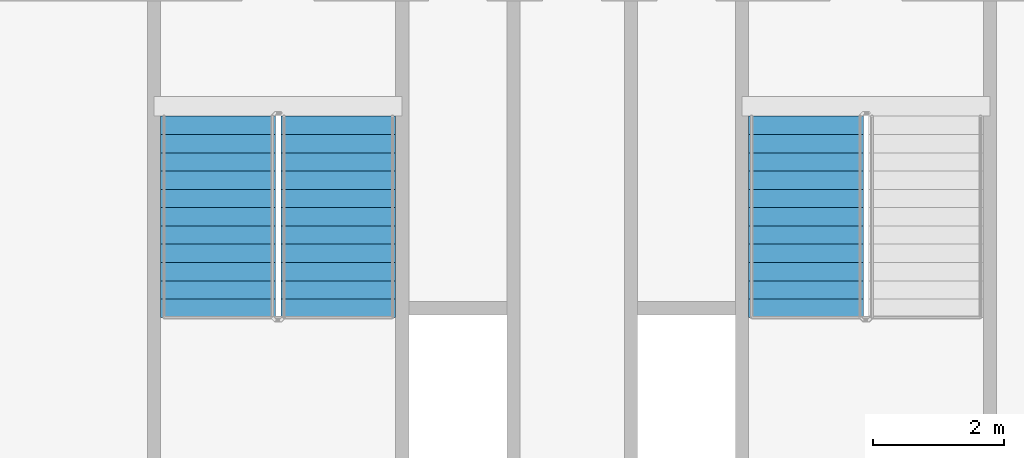
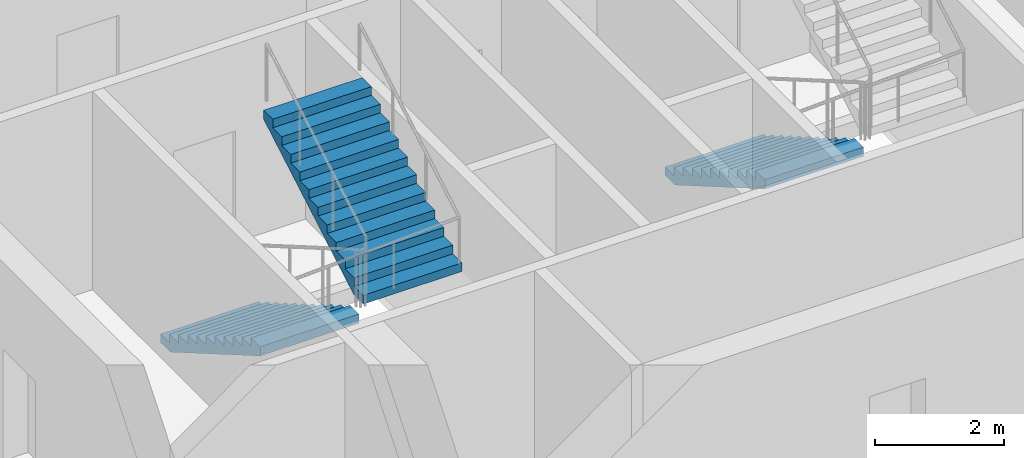
# One storey, part 7 of 14: 3 stair flights, 2 elements without a shape of their own.
"""IFC4 building model written with IfcOpenShell, lengths in metres."""

from ifc_helpers import new_model, si_unit, direction, frame, origin, place, context, subcontext, project, spatial, faceted_brep, material, type_object, element, aggregate, save


model = new_model("IFC4")

# Units and contexts
model_context = context("Model", 3, precision=1e-05, world=origin(), true_north=direction((0.0, 1.0)))
body_context = subcontext(model_context, "Body", "Model", "MODEL_VIEW")
ifc_project = project(units=[si_unit("LENGTHUNIT", "METRE"), si_unit("AREAUNIT", "SQUARE_METRE"), si_unit("VOLUMEUNIT", "CUBIC_METRE"), si_unit("PLANEANGLEUNIT", "RADIAN"), si_unit("MASSUNIT", "GRAM", prefix="KILO")], contexts=[model_context])

# Site, building, storey
site_placement = place(None, origin())
site = spatial("IfcSite", under=ifc_project, at=site_placement, CompositionType="ELEMENT")
building_placement = place(site_placement, origin())
building = spatial("IfcBuilding", under=site, at=building_placement, Name="Tarsis Ring Headquarters", CompositionType="ELEMENT")
storey_placement = place(building_placement, frame((0.0, 0.0, 335.300048828125)))
storey = spatial("IfcBuildingStorey", under=building, at=storey_placement, Name="L79", CompositionType="ELEMENT", Elevation=335.300048828125)

# Stair, stair flights
ifc_material_1 = material(Name="Core stair 1760")
stair_type = type_object("IfcStairType", Name="Core stair 1760", PredefinedType="HALF_TURN_STAIR", material=ifc_material_1)
stair_1_placement = place(storey_placement, origin())
stair_1 = element("IfcStair", 1, at=stair_1_placement, inside=storey, type_object=stair_type, Name="L79 Exit stair C", PredefinedType="HALF_TURN_STAIR")
ifc_material_2 = material(Name="Concrete C40/50", Category="concrete")
stair_flight_type = type_object("IfcStairFlightType", Name="Core stair flight 1760", PredefinedType="STRAIGHT", material=ifc_material_2)
stair_flight_1_placement = place(storey_placement, frame((-5.419921875, -3.659912109375, 0.0), z_axis=(0.0, 0.0, 1.0), x_axis=(0.0, -1.0, 0.0)))
stair_flight_1 = element("IfcStairFlight", 2, at=stair_flight_1_placement, type_object=stair_flight_type, Name="Stair ST3 flight 1", NumberOfRisers=12, NumberOfTreads=11, PredefinedType="STRAIGHT", RiserHeight=0.1625, TreadLength=0.28, context=body_context, shape_type="Brep", body=[
    faceted_brep([(0.0, 0.8798828125, 0.0), (0.0, 0.8798828125, 0.16259765625), (0.280029296875, 0.8798828125, 0.16259765625), (0.280029296875, 0.8798828125, 0.324951171875), (0.56005859375, 0.8798828125, 0.324951171875), (0.56005859375, 0.8798828125, 0.487548828125), (0.840087890625, 0.8798828125, 0.487548828125), (0.840087890625, 0.8798828125, 0.64990234375), (1.1201171875, 0.8798828125, 0.64990234375), (1.1201171875, 0.8798828125, 0.8125), (1.39990234375, 0.8798828125, 0.8125), (1.39990234375, 0.8798828125, 0.97509765625), (1.679931640625, 0.8798828125, 0.97509765625), (1.679931640625, 0.8798828125, 1.137451171875), (1.9599609375, 0.8798828125, 1.137451171875), (1.9599609375, 0.8798828125, 1.300048828125), (2.239990234375, 0.8798828125, 1.300048828125), (2.239990234375, 0.8798828125, 1.46240234375), (2.52001953125, 0.8798828125, 1.46240234375), (2.52001953125, 0.8798828125, 1.625), (2.800048828125, 0.8798828125, 1.625), (2.800048828125, 0.8798828125, 1.78759765625), (3.080078125, 0.8798828125, 1.78759765625), (3.080078125, 0.8798828125, 1.6142578125), (0.298583984375, 0.8798828125, 0.0), (0.298583984375, -0.8798828125, 0.0), (3.080078125, -0.8798828125, 1.6142578125), (3.080078125, -0.8798828125, 1.78759765625), (2.800048828125, -0.8798828125, 1.78759765625), (2.800048828125, -0.8798828125, 1.625), (2.52001953125, -0.8798828125, 1.625), (2.52001953125, -0.8798828125, 1.46240234375), (2.239990234375, -0.8798828125, 1.46240234375), (2.239990234375, -0.8798828125, 1.300048828125), (1.9599609375, -0.8798828125, 1.300048828125), (1.9599609375, -0.8798828125, 1.137451171875), (1.679931640625, -0.8798828125, 1.137451171875), (1.679931640625, -0.8798828125, 0.97509765625), (1.39990234375, -0.8798828125, 0.97509765625), (1.39990234375, -0.8798828125, 0.8125), (1.1201171875, -0.8798828125, 0.8125), (1.1201171875, -0.8798828125, 0.64990234375), (0.840087890625, -0.8798828125, 0.64990234375), (0.840087890625, -0.8798828125, 0.487548828125), (0.56005859375, -0.8798828125, 0.487548828125), (0.56005859375, -0.8798828125, 0.324951171875), (0.280029296875, -0.8798828125, 0.324951171875), (0.280029296875, -0.8798828125, 0.16259765625), (0.0, -0.8798828125, 0.16259765625), (0.0, -0.8798828125, 0.0), (0.0, -0.43994140625, 0.16259765625), (0.0, -0.43994140625, 0.0), (0.0, 0.0, 0.16259765625), (0.0, 0.0, 0.0), (0.0, 0.43994140625, 0.16259765625), (0.0, 0.43994140625, 0.0), (0.280029296875, -0.43994140625, 0.16259765625), (0.280029296875, 0.0, 0.16259765625), (0.280029296875, 0.43994140625, 0.16259765625), (0.280029296875, -0.43994140625, 0.324951171875), (0.280029296875, 0.0, 0.324951171875), (0.280029296875, 0.43994140625, 0.324951171875), (0.56005859375, -0.43994140625, 0.324951171875), (0.56005859375, 0.0, 0.324951171875), (0.56005859375, 0.43994140625, 0.324951171875), (0.56005859375, -0.43994140625, 0.487548828125), (0.56005859375, 0.0, 0.487548828125), (0.56005859375, 0.43994140625, 0.487548828125), (0.840087890625, -0.43994140625, 0.487548828125), (0.840087890625, 0.0, 0.487548828125), (0.840087890625, 0.43994140625, 0.487548828125), (0.840087890625, -0.43994140625, 0.64990234375), (0.840087890625, 0.0, 0.64990234375), (0.840087890625, 0.43994140625, 0.64990234375), (1.1201171875, -0.43994140625, 0.64990234375), (1.1201171875, 0.0, 0.64990234375), (1.1201171875, 0.43994140625, 0.64990234375), (1.1201171875, -0.43994140625, 0.8125), (1.1201171875, 0.0, 0.8125), (1.1201171875, 0.43994140625, 0.8125), (1.39990234375, -0.43994140625, 0.8125), (1.39990234375, 0.0, 0.8125), (1.39990234375, 0.43994140625, 0.8125), (1.39990234375, -0.43994140625, 0.97509765625), (1.39990234375, 0.0, 0.97509765625), (1.39990234375, 0.43994140625, 0.97509765625), (1.679931640625, -0.43994140625, 0.97509765625), (1.679931640625, 0.0, 0.97509765625), (1.679931640625, 0.43994140625, 0.97509765625), (1.679931640625, -0.43994140625, 1.137451171875), (1.679931640625, 0.0, 1.137451171875), (1.679931640625, 0.43994140625, 1.137451171875), (1.9599609375, -0.43994140625, 1.137451171875), (1.9599609375, 0.0, 1.137451171875), (1.9599609375, 0.43994140625, 1.137451171875), (1.9599609375, -0.43994140625, 1.300048828125), (1.9599609375, 0.0, 1.300048828125), (1.9599609375, 0.43994140625, 1.300048828125), (2.239990234375, -0.43994140625, 1.300048828125), (2.239990234375, 0.0, 1.300048828125), (2.239990234375, 0.43994140625, 1.300048828125), (2.239990234375, -0.43994140625, 1.46240234375), (2.239990234375, 0.0, 1.46240234375), (2.239990234375, 0.43994140625, 1.46240234375), (2.52001953125, -0.43994140625, 1.46240234375), (2.52001953125, 0.0, 1.46240234375), (2.52001953125, 0.43994140625, 1.46240234375), (2.52001953125, -0.43994140625, 1.625), (2.52001953125, 0.0, 1.625), (2.52001953125, 0.43994140625, 1.625), (2.800048828125, -0.43994140625, 1.625), (2.800048828125, 0.0, 1.625), (2.800048828125, 0.43994140625, 1.625), (2.800048828125, -0.43994140625, 1.78759765625), (2.800048828125, 0.0, 1.78759765625), (2.800048828125, 0.43994140625, 1.78759765625), (3.080078125, -0.43994140625, 1.78759765625), (3.080078125, 0.0, 1.78759765625), (3.080078125, 0.43994140625, 1.78759765625), (3.080078125, -0.43994140625, 1.6142578125), (3.080078125, 0.0, 1.6142578125), (3.080078125, 0.43994140625, 1.6142578125), (0.298583984375, -0.43994140625, 0.0), (0.298583984375, 0.0, 0.0), (0.298583984375, 0.43994140625, 0.0)], [[[0, 1, 2, 3, 4, 5, 6, 7, 8, 9, 10, 11, 12, 13, 14, 15, 16, 17, 18, 19, 20, 21, 22, 23, 24]], [[25, 26, 27, 28, 29, 30, 31, 32, 33, 34, 35, 36, 37, 38, 39, 40, 41, 42, 43, 44, 45, 46, 47, 48, 49]], [[49, 48, 50, 51]], [[51, 50, 52, 53]], [[53, 52, 54, 55]], [[55, 54, 1, 0]], [[48, 47, 56, 50]], [[50, 56, 57, 52]], [[52, 57, 58, 54]], [[54, 58, 2, 1]], [[47, 46, 59, 56]], [[56, 59, 60, 57]], [[57, 60, 61, 58]], [[58, 61, 3, 2]], [[46, 45, 62, 59]], [[59, 62, 63, 60]], [[60, 63, 64, 61]], [[61, 64, 4, 3]], [[45, 44, 65, 62]], [[62, 65, 66, 63]], [[63, 66, 67, 64]], [[64, 67, 5, 4]], [[44, 43, 68, 65]], [[65, 68, 69, 66]], [[66, 69, 70, 67]], [[67, 70, 6, 5]], [[43, 42, 71, 68]], [[68, 71, 72, 69]], [[69, 72, 73, 70]], [[70, 73, 7, 6]], [[42, 41, 74, 71]], [[71, 74, 75, 72]], [[72, 75, 76, 73]], [[73, 76, 8, 7]], [[41, 40, 77, 74]], [[74, 77, 78, 75]], [[75, 78, 79, 76]], [[76, 79, 9, 8]], [[40, 39, 80, 77]], [[77, 80, 81, 78]], [[78, 81, 82, 79]], [[79, 82, 10, 9]], [[39, 38, 83, 80]], [[80, 83, 84, 81]], [[81, 84, 85, 82]], [[82, 85, 11, 10]], [[38, 37, 86, 83]], [[83, 86, 87, 84]], [[84, 87, 88, 85]], [[85, 88, 12, 11]], [[37, 36, 89, 86]], [[86, 89, 90, 87]], [[87, 90, 91, 88]], [[88, 91, 13, 12]], [[36, 35, 92, 89]], [[89, 92, 93, 90]], [[90, 93, 94, 91]], [[91, 94, 14, 13]], [[35, 34, 95, 92]], [[92, 95, 96, 93]], [[93, 96, 97, 94]], [[94, 97, 15, 14]], [[34, 33, 98, 95]], [[95, 98, 99, 96]], [[96, 99, 100, 97]], [[97, 100, 16, 15]], [[33, 32, 101, 98]], [[98, 101, 102, 99]], [[99, 102, 103, 100]], [[100, 103, 17, 16]], [[32, 31, 104, 101]], [[101, 104, 105, 102]], [[102, 105, 106, 103]], [[103, 106, 18, 17]], [[31, 30, 107, 104]], [[104, 107, 108, 105]], [[105, 108, 109, 106]], [[106, 109, 19, 18]], [[30, 29, 110, 107]], [[107, 110, 111, 108]], [[108, 111, 112, 109]], [[109, 112, 20, 19]], [[29, 28, 113, 110]], [[110, 113, 114, 111]], [[111, 114, 115, 112]], [[112, 115, 21, 20]], [[28, 27, 116, 113]], [[113, 116, 117, 114]], [[114, 117, 118, 115]], [[115, 118, 22, 21]], [[27, 26, 119, 116]], [[116, 119, 120, 117]], [[117, 120, 121, 118]], [[118, 121, 23, 22]], [[26, 25, 122, 119]], [[119, 122, 123, 120]], [[120, 123, 124, 121]], [[121, 124, 24, 23]], [[25, 49, 51, 122]], [[122, 51, 53, 123]], [[123, 53, 55, 124]], [[124, 55, 0, 24]]]),
])
stair_flight_2_placement = place(storey_placement, frame((-3.580078125, -6.739990234375, 1.949951171875), z_axis=(0.0, 0.0, 1.0), x_axis=(0.0, 1.0, 0.0)))
stair_flight_2 = element("IfcStairFlight", 3, at=stair_flight_2_placement, type_object=stair_flight_type, Name="Stair ST3 flight 2", NumberOfRisers=12, NumberOfTreads=11, PredefinedType="STRAIGHT", RiserHeight=0.1625, TreadLength=0.28, context=body_context, shape_type="Brep", body=[
    faceted_brep([(0.0, 0.8798828125, 0.0), (0.0, 0.8798828125, 0.16259765625), (0.280029296875, 0.8798828125, 0.16259765625), (0.280029296875, 0.8798828125, 0.324951171875), (0.56005859375, 0.8798828125, 0.324951171875), (0.56005859375, 0.8798828125, 0.487548828125), (0.840087890625, 0.8798828125, 0.487548828125), (0.840087890625, 0.8798828125, 0.64990234375), (1.1201171875, 0.8798828125, 0.64990234375), (1.1201171875, 0.8798828125, 0.8125), (1.39990234375, 0.8798828125, 0.8125), (1.39990234375, 0.8798828125, 0.97509765625), (1.679931640625, 0.8798828125, 0.97509765625), (1.679931640625, 0.8798828125, 1.137451171875), (1.9599609375, 0.8798828125, 1.137451171875), (1.9599609375, 0.8798828125, 1.300048828125), (2.239990234375, 0.8798828125, 1.300048828125), (2.239990234375, 0.8798828125, 1.46240234375), (2.52001953125, 0.8798828125, 1.46240234375), (2.52001953125, 0.8798828125, 1.625), (2.800048828125, 0.8798828125, 1.625), (2.800048828125, 0.8798828125, 1.78759765625), (3.080078125, 0.8798828125, 1.78759765625), (3.080078125, 0.8798828125, 1.6142578125), (0.298583984375, 0.8798828125, 0.0), (0.298583984375, -0.8798828125, 0.0), (3.080078125, -0.8798828125, 1.6142578125), (3.080078125, -0.8798828125, 1.78759765625), (2.800048828125, -0.8798828125, 1.78759765625), (2.800048828125, -0.8798828125, 1.625), (2.52001953125, -0.8798828125, 1.625), (2.52001953125, -0.8798828125, 1.46240234375), (2.239990234375, -0.8798828125, 1.46240234375), (2.239990234375, -0.8798828125, 1.300048828125), (1.9599609375, -0.8798828125, 1.300048828125), (1.9599609375, -0.8798828125, 1.137451171875), (1.679931640625, -0.8798828125, 1.137451171875), (1.679931640625, -0.8798828125, 0.97509765625), (1.39990234375, -0.8798828125, 0.97509765625), (1.39990234375, -0.8798828125, 0.8125), (1.1201171875, -0.8798828125, 0.8125), (1.1201171875, -0.8798828125, 0.64990234375), (0.840087890625, -0.8798828125, 0.64990234375), (0.840087890625, -0.8798828125, 0.487548828125), (0.56005859375, -0.8798828125, 0.487548828125), (0.56005859375, -0.8798828125, 0.324951171875), (0.280029296875, -0.8798828125, 0.324951171875), (0.280029296875, -0.8798828125, 0.16259765625), (0.0, -0.8798828125, 0.16259765625), (0.0, -0.8798828125, 0.0), (0.0, -0.43994140625, 0.16259765625), (0.0, -0.43994140625, 0.0), (0.0, 0.0, 0.16259765625), (0.0, 0.0, 0.0), (0.0, 0.43994140625, 0.16259765625), (0.0, 0.43994140625, 0.0), (0.280029296875, -0.43994140625, 0.16259765625), (0.280029296875, 0.0, 0.16259765625), (0.280029296875, 0.43994140625, 0.16259765625), (0.280029296875, -0.43994140625, 0.324951171875), (0.280029296875, 0.0, 0.324951171875), (0.280029296875, 0.43994140625, 0.324951171875), (0.56005859375, -0.43994140625, 0.324951171875), (0.56005859375, 0.0, 0.324951171875), (0.56005859375, 0.43994140625, 0.324951171875), (0.56005859375, -0.43994140625, 0.487548828125), (0.56005859375, 0.0, 0.487548828125), (0.56005859375, 0.43994140625, 0.487548828125), (0.840087890625, -0.43994140625, 0.487548828125), (0.840087890625, 0.0, 0.487548828125), (0.840087890625, 0.43994140625, 0.487548828125), (0.840087890625, -0.43994140625, 0.64990234375), (0.840087890625, 0.0, 0.64990234375), (0.840087890625, 0.43994140625, 0.64990234375), (1.1201171875, -0.43994140625, 0.64990234375), (1.1201171875, 0.0, 0.64990234375), (1.1201171875, 0.43994140625, 0.64990234375), (1.1201171875, -0.43994140625, 0.8125), (1.1201171875, 0.0, 0.8125), (1.1201171875, 0.43994140625, 0.8125), (1.39990234375, -0.43994140625, 0.8125), (1.39990234375, 0.0, 0.8125), (1.39990234375, 0.43994140625, 0.8125), (1.39990234375, -0.43994140625, 0.97509765625), (1.39990234375, 0.0, 0.97509765625), (1.39990234375, 0.43994140625, 0.97509765625), (1.679931640625, -0.43994140625, 0.97509765625), (1.679931640625, 0.0, 0.97509765625), (1.679931640625, 0.43994140625, 0.97509765625), (1.679931640625, -0.43994140625, 1.137451171875), (1.679931640625, 0.0, 1.137451171875), (1.679931640625, 0.43994140625, 1.137451171875), (1.9599609375, -0.43994140625, 1.137451171875), (1.9599609375, 0.0, 1.137451171875), (1.9599609375, 0.43994140625, 1.137451171875), (1.9599609375, -0.43994140625, 1.300048828125), (1.9599609375, 0.0, 1.300048828125), (1.9599609375, 0.43994140625, 1.300048828125), (2.239990234375, -0.43994140625, 1.300048828125), (2.239990234375, 0.0, 1.300048828125), (2.239990234375, 0.43994140625, 1.300048828125), (2.239990234375, -0.43994140625, 1.46240234375), (2.239990234375, 0.0, 1.46240234375), (2.239990234375, 0.43994140625, 1.46240234375), (2.52001953125, -0.43994140625, 1.46240234375), (2.52001953125, 0.0, 1.46240234375), (2.52001953125, 0.43994140625, 1.46240234375), (2.52001953125, -0.43994140625, 1.625), (2.52001953125, 0.0, 1.625), (2.52001953125, 0.43994140625, 1.625), (2.800048828125, -0.43994140625, 1.625), (2.800048828125, 0.0, 1.625), (2.800048828125, 0.43994140625, 1.625), (2.800048828125, -0.43994140625, 1.78759765625), (2.800048828125, 0.0, 1.78759765625), (2.800048828125, 0.43994140625, 1.78759765625), (3.080078125, -0.43994140625, 1.78759765625), (3.080078125, 0.0, 1.78759765625), (3.080078125, 0.43994140625, 1.78759765625), (3.080078125, -0.43994140625, 1.6142578125), (3.080078125, 0.0, 1.6142578125), (3.080078125, 0.43994140625, 1.6142578125), (0.298583984375, -0.43994140625, 0.0), (0.298583984375, 0.0, 0.0), (0.298583984375, 0.43994140625, 0.0)], [[[0, 1, 2, 3, 4, 5, 6, 7, 8, 9, 10, 11, 12, 13, 14, 15, 16, 17, 18, 19, 20, 21, 22, 23, 24]], [[25, 26, 27, 28, 29, 30, 31, 32, 33, 34, 35, 36, 37, 38, 39, 40, 41, 42, 43, 44, 45, 46, 47, 48, 49]], [[49, 48, 50, 51]], [[51, 50, 52, 53]], [[53, 52, 54, 55]], [[55, 54, 1, 0]], [[48, 47, 56, 50]], [[50, 56, 57, 52]], [[52, 57, 58, 54]], [[54, 58, 2, 1]], [[47, 46, 59, 56]], [[56, 59, 60, 57]], [[57, 60, 61, 58]], [[58, 61, 3, 2]], [[46, 45, 62, 59]], [[59, 62, 63, 60]], [[60, 63, 64, 61]], [[61, 64, 4, 3]], [[45, 44, 65, 62]], [[62, 65, 66, 63]], [[63, 66, 67, 64]], [[64, 67, 5, 4]], [[44, 43, 68, 65]], [[65, 68, 69, 66]], [[66, 69, 70, 67]], [[67, 70, 6, 5]], [[43, 42, 71, 68]], [[68, 71, 72, 69]], [[69, 72, 73, 70]], [[70, 73, 7, 6]], [[42, 41, 74, 71]], [[71, 74, 75, 72]], [[72, 75, 76, 73]], [[73, 76, 8, 7]], [[41, 40, 77, 74]], [[74, 77, 78, 75]], [[75, 78, 79, 76]], [[76, 79, 9, 8]], [[40, 39, 80, 77]], [[77, 80, 81, 78]], [[78, 81, 82, 79]], [[79, 82, 10, 9]], [[39, 38, 83, 80]], [[80, 83, 84, 81]], [[81, 84, 85, 82]], [[82, 85, 11, 10]], [[38, 37, 86, 83]], [[83, 86, 87, 84]], [[84, 87, 88, 85]], [[85, 88, 12, 11]], [[37, 36, 89, 86]], [[86, 89, 90, 87]], [[87, 90, 91, 88]], [[88, 91, 13, 12]], [[36, 35, 92, 89]], [[89, 92, 93, 90]], [[90, 93, 94, 91]], [[91, 94, 14, 13]], [[35, 34, 95, 92]], [[92, 95, 96, 93]], [[93, 96, 97, 94]], [[94, 97, 15, 14]], [[34, 33, 98, 95]], [[95, 98, 99, 96]], [[96, 99, 100, 97]], [[97, 100, 16, 15]], [[33, 32, 101, 98]], [[98, 101, 102, 99]], [[99, 102, 103, 100]], [[100, 103, 17, 16]], [[32, 31, 104, 101]], [[101, 104, 105, 102]], [[102, 105, 106, 103]], [[103, 106, 18, 17]], [[31, 30, 107, 104]], [[104, 107, 108, 105]], [[105, 108, 109, 106]], [[106, 109, 19, 18]], [[30, 29, 110, 107]], [[107, 110, 111, 108]], [[108, 111, 112, 109]], [[109, 112, 20, 19]], [[29, 28, 113, 110]], [[110, 113, 114, 111]], [[111, 114, 115, 112]], [[112, 115, 21, 20]], [[28, 27, 116, 113]], [[113, 116, 117, 114]], [[114, 117, 118, 115]], [[115, 118, 22, 21]], [[27, 26, 119, 116]], [[116, 119, 120, 117]], [[117, 120, 121, 118]], [[118, 121, 23, 22]], [[26, 25, 122, 119]], [[119, 122, 123, 120]], [[120, 123, 124, 121]], [[121, 124, 24, 23]], [[25, 49, 51, 122]], [[122, 51, 53, 123]], [[123, 53, 55, 124]], [[124, 55, 0, 24]]]),
])
aggregate(stair_1, [stair_flight_1, stair_flight_2])

# Stair, stair flight
stair_2_placement = place(storey_placement, origin())
stair_2 = element("IfcStair", 4, at=stair_2_placement, inside=storey, type_object=stair_type, Name="L79 Exit stair D", PredefinedType="HALF_TURN_STAIR")
stair_flight_3_placement = place(storey_placement, frame((3.580078125, -3.659912109375, 0.0), z_axis=(0.0, 0.0, 1.0), x_axis=(0.0, -1.0, 0.0)))
stair_flight_3 = element("IfcStairFlight", 5, at=stair_flight_3_placement, type_object=stair_flight_type, Name="Stair ST4 flight 1", NumberOfRisers=12, NumberOfTreads=11, PredefinedType="STRAIGHT", RiserHeight=0.1625, TreadLength=0.28, context=body_context, shape_type="Brep", body=[
    faceted_brep([(0.0, 0.8798828125, 0.0), (0.0, 0.8798828125, 0.16259765625), (0.280029296875, 0.8798828125, 0.16259765625), (0.280029296875, 0.8798828125, 0.324951171875), (0.56005859375, 0.8798828125, 0.324951171875), (0.56005859375, 0.8798828125, 0.487548828125), (0.840087890625, 0.8798828125, 0.487548828125), (0.840087890625, 0.8798828125, 0.64990234375), (1.1201171875, 0.8798828125, 0.64990234375), (1.1201171875, 0.8798828125, 0.8125), (1.39990234375, 0.8798828125, 0.8125), (1.39990234375, 0.8798828125, 0.97509765625), (1.679931640625, 0.8798828125, 0.97509765625), (1.679931640625, 0.8798828125, 1.137451171875), (1.9599609375, 0.8798828125, 1.137451171875), (1.9599609375, 0.8798828125, 1.300048828125), (2.239990234375, 0.8798828125, 1.300048828125), (2.239990234375, 0.8798828125, 1.46240234375), (2.52001953125, 0.8798828125, 1.46240234375), (2.52001953125, 0.8798828125, 1.625), (2.800048828125, 0.8798828125, 1.625), (2.800048828125, 0.8798828125, 1.78759765625), (3.080078125, 0.8798828125, 1.78759765625), (3.080078125, 0.8798828125, 1.6142578125), (0.298583984375, 0.8798828125, 0.0), (0.298583984375, -0.8798828125, 0.0), (3.080078125, -0.8798828125, 1.6142578125), (3.080078125, -0.8798828125, 1.78759765625), (2.800048828125, -0.8798828125, 1.78759765625), (2.800048828125, -0.8798828125, 1.625), (2.52001953125, -0.8798828125, 1.625), (2.52001953125, -0.8798828125, 1.46240234375), (2.239990234375, -0.8798828125, 1.46240234375), (2.239990234375, -0.8798828125, 1.300048828125), (1.9599609375, -0.8798828125, 1.300048828125), (1.9599609375, -0.8798828125, 1.137451171875), (1.679931640625, -0.8798828125, 1.137451171875), (1.679931640625, -0.8798828125, 0.97509765625), (1.39990234375, -0.8798828125, 0.97509765625), (1.39990234375, -0.8798828125, 0.8125), (1.1201171875, -0.8798828125, 0.8125), (1.1201171875, -0.8798828125, 0.64990234375), (0.840087890625, -0.8798828125, 0.64990234375), (0.840087890625, -0.8798828125, 0.487548828125), (0.56005859375, -0.8798828125, 0.487548828125), (0.56005859375, -0.8798828125, 0.324951171875), (0.280029296875, -0.8798828125, 0.324951171875), (0.280029296875, -0.8798828125, 0.16259765625), (0.0, -0.8798828125, 0.16259765625), (0.0, -0.8798828125, 0.0), (0.0, -0.43994140625, 0.16259765625), (0.0, -0.43994140625, 0.0), (0.0, 0.0, 0.16259765625), (0.0, 0.0, 0.0), (0.0, 0.43994140625, 0.16259765625), (0.0, 0.43994140625, 0.0), (0.280029296875, -0.43994140625, 0.16259765625), (0.280029296875, 0.0, 0.16259765625), (0.280029296875, 0.43994140625, 0.16259765625), (0.280029296875, -0.43994140625, 0.324951171875), (0.280029296875, 0.0, 0.324951171875), (0.280029296875, 0.43994140625, 0.324951171875), (0.56005859375, -0.43994140625, 0.324951171875), (0.56005859375, 0.0, 0.324951171875), (0.56005859375, 0.43994140625, 0.324951171875), (0.56005859375, -0.43994140625, 0.487548828125), (0.56005859375, 0.0, 0.487548828125), (0.56005859375, 0.43994140625, 0.487548828125), (0.840087890625, -0.43994140625, 0.487548828125), (0.840087890625, 0.0, 0.487548828125), (0.840087890625, 0.43994140625, 0.487548828125), (0.840087890625, -0.43994140625, 0.64990234375), (0.840087890625, 0.0, 0.64990234375), (0.840087890625, 0.43994140625, 0.64990234375), (1.1201171875, -0.43994140625, 0.64990234375), (1.1201171875, 0.0, 0.64990234375), (1.1201171875, 0.43994140625, 0.64990234375), (1.1201171875, -0.43994140625, 0.8125), (1.1201171875, 0.0, 0.8125), (1.1201171875, 0.43994140625, 0.8125), (1.39990234375, -0.43994140625, 0.8125), (1.39990234375, 0.0, 0.8125), (1.39990234375, 0.43994140625, 0.8125), (1.39990234375, -0.43994140625, 0.97509765625), (1.39990234375, 0.0, 0.97509765625), (1.39990234375, 0.43994140625, 0.97509765625), (1.679931640625, -0.43994140625, 0.97509765625), (1.679931640625, 0.0, 0.97509765625), (1.679931640625, 0.43994140625, 0.97509765625), (1.679931640625, -0.43994140625, 1.137451171875), (1.679931640625, 0.0, 1.137451171875), (1.679931640625, 0.43994140625, 1.137451171875), (1.9599609375, -0.43994140625, 1.137451171875), (1.9599609375, 0.0, 1.137451171875), (1.9599609375, 0.43994140625, 1.137451171875), (1.9599609375, -0.43994140625, 1.300048828125), (1.9599609375, 0.0, 1.300048828125), (1.9599609375, 0.43994140625, 1.300048828125), (2.239990234375, -0.43994140625, 1.300048828125), (2.239990234375, 0.0, 1.300048828125), (2.239990234375, 0.43994140625, 1.300048828125), (2.239990234375, -0.43994140625, 1.46240234375), (2.239990234375, 0.0, 1.46240234375), (2.239990234375, 0.43994140625, 1.46240234375), (2.52001953125, -0.43994140625, 1.46240234375), (2.52001953125, 0.0, 1.46240234375), (2.52001953125, 0.43994140625, 1.46240234375), (2.52001953125, -0.43994140625, 1.625), (2.52001953125, 0.0, 1.625), (2.52001953125, 0.43994140625, 1.625), (2.800048828125, -0.43994140625, 1.625), (2.800048828125, 0.0, 1.625), (2.800048828125, 0.43994140625, 1.625), (2.800048828125, -0.43994140625, 1.78759765625), (2.800048828125, 0.0, 1.78759765625), (2.800048828125, 0.43994140625, 1.78759765625), (3.080078125, -0.43994140625, 1.78759765625), (3.080078125, 0.0, 1.78759765625), (3.080078125, 0.43994140625, 1.78759765625), (3.080078125, -0.43994140625, 1.6142578125), (3.080078125, 0.0, 1.6142578125), (3.080078125, 0.43994140625, 1.6142578125), (0.298583984375, -0.43994140625, 0.0), (0.298583984375, 0.0, 0.0), (0.298583984375, 0.43994140625, 0.0)], [[[0, 1, 2, 3, 4, 5, 6, 7, 8, 9, 10, 11, 12, 13, 14, 15, 16, 17, 18, 19, 20, 21, 22, 23, 24]], [[25, 26, 27, 28, 29, 30, 31, 32, 33, 34, 35, 36, 37, 38, 39, 40, 41, 42, 43, 44, 45, 46, 47, 48, 49]], [[49, 48, 50, 51]], [[51, 50, 52, 53]], [[53, 52, 54, 55]], [[55, 54, 1, 0]], [[48, 47, 56, 50]], [[50, 56, 57, 52]], [[52, 57, 58, 54]], [[54, 58, 2, 1]], [[47, 46, 59, 56]], [[56, 59, 60, 57]], [[57, 60, 61, 58]], [[58, 61, 3, 2]], [[46, 45, 62, 59]], [[59, 62, 63, 60]], [[60, 63, 64, 61]], [[61, 64, 4, 3]], [[45, 44, 65, 62]], [[62, 65, 66, 63]], [[63, 66, 67, 64]], [[64, 67, 5, 4]], [[44, 43, 68, 65]], [[65, 68, 69, 66]], [[66, 69, 70, 67]], [[67, 70, 6, 5]], [[43, 42, 71, 68]], [[68, 71, 72, 69]], [[69, 72, 73, 70]], [[70, 73, 7, 6]], [[42, 41, 74, 71]], [[71, 74, 75, 72]], [[72, 75, 76, 73]], [[73, 76, 8, 7]], [[41, 40, 77, 74]], [[74, 77, 78, 75]], [[75, 78, 79, 76]], [[76, 79, 9, 8]], [[40, 39, 80, 77]], [[77, 80, 81, 78]], [[78, 81, 82, 79]], [[79, 82, 10, 9]], [[39, 38, 83, 80]], [[80, 83, 84, 81]], [[81, 84, 85, 82]], [[82, 85, 11, 10]], [[38, 37, 86, 83]], [[83, 86, 87, 84]], [[84, 87, 88, 85]], [[85, 88, 12, 11]], [[37, 36, 89, 86]], [[86, 89, 90, 87]], [[87, 90, 91, 88]], [[88, 91, 13, 12]], [[36, 35, 92, 89]], [[89, 92, 93, 90]], [[90, 93, 94, 91]], [[91, 94, 14, 13]], [[35, 34, 95, 92]], [[92, 95, 96, 93]], [[93, 96, 97, 94]], [[94, 97, 15, 14]], [[34, 33, 98, 95]], [[95, 98, 99, 96]], [[96, 99, 100, 97]], [[97, 100, 16, 15]], [[33, 32, 101, 98]], [[98, 101, 102, 99]], [[99, 102, 103, 100]], [[100, 103, 17, 16]], [[32, 31, 104, 101]], [[101, 104, 105, 102]], [[102, 105, 106, 103]], [[103, 106, 18, 17]], [[31, 30, 107, 104]], [[104, 107, 108, 105]], [[105, 108, 109, 106]], [[106, 109, 19, 18]], [[30, 29, 110, 107]], [[107, 110, 111, 108]], [[108, 111, 112, 109]], [[109, 112, 20, 19]], [[29, 28, 113, 110]], [[110, 113, 114, 111]], [[111, 114, 115, 112]], [[112, 115, 21, 20]], [[28, 27, 116, 113]], [[113, 116, 117, 114]], [[114, 117, 118, 115]], [[115, 118, 22, 21]], [[27, 26, 119, 116]], [[116, 119, 120, 117]], [[117, 120, 121, 118]], [[118, 121, 23, 22]], [[26, 25, 122, 119]], [[119, 122, 123, 120]], [[120, 123, 124, 121]], [[121, 124, 24, 23]], [[25, 49, 51, 122]], [[122, 51, 53, 123]], [[123, 53, 55, 124]], [[124, 55, 0, 24]]]),
])
aggregate(stair_2, [stair_flight_3])

save(model, "model.ifc")
